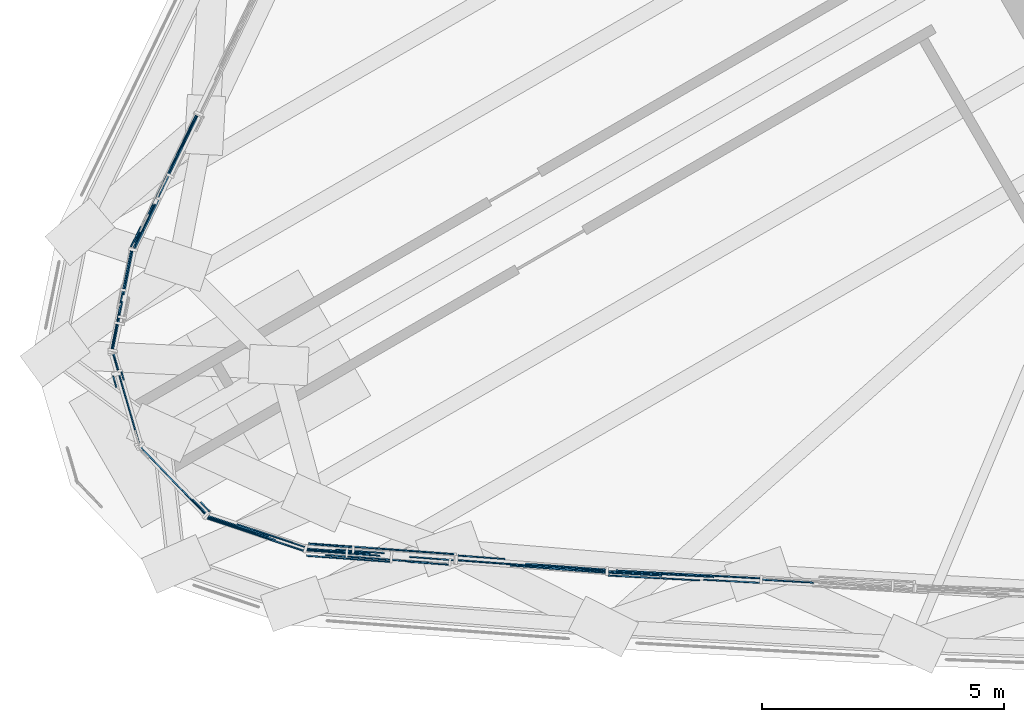
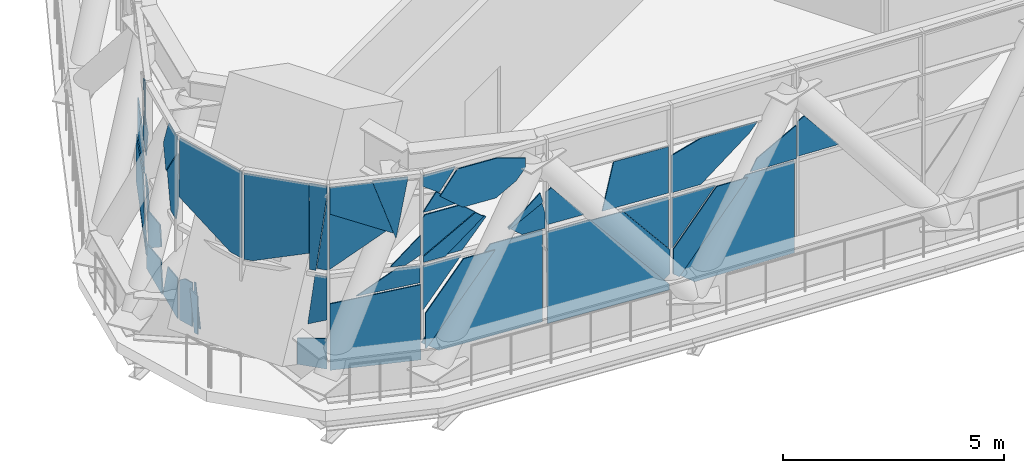
# One storey, part 12 of 43: 48 plates, 3 elements without a shape of their own.
"""IFC4 building model written with IfcOpenShell, lengths in metres."""

import ifcopenshell
import ifcopenshell.guid

model = None  # the IFC model being written
_history = None  # IfcOwnerHistory: only IFC2X3 demands one
_inside = {}  # id of a spatial element -> (the spatial element, [elements in it])
_under = {}  # id of a project, library or spatial element -> (it, [spatial elements below it])
_declared = {}  # id of a project -> (the project, [libraries it declares])
_typed = {}  # id of a type object -> (the type object, [elements of that type])
_made_of = {}  # id of a material, layer set ... -> (it, [elements and type objects made of it])


def new_model(schema):
    """Start an empty IFC model of exactly this schema.

    Asked for "IFC4X3", IfcOpenShell would pick the latest addendum, in which some entities
    have other attributes; the version numbers below select the first issue.
    IFC2X3 requires an IfcOwnerHistory on every rooted entity: one is made here for all.
    """
    global model, _history
    if schema == "IFC4X3":
        model = ifcopenshell.file(schema_version=(4, 3, 0, 0))
    else:
        model = ifcopenshell.file(schema=schema)
    _inside.clear()
    _under.clear()
    _declared.clear()
    _typed.clear()
    _made_of.clear()
    _history = None
    if model.schema == "IFC2X3":
        org = make("IfcOrganization", Name="unknown")
        user = make(
            "IfcPersonAndOrganization",
            ThePerson=make("IfcPerson", FamilyName="unknown"),
            TheOrganization=org,
        )
        app = make(
            "IfcApplication",
            ApplicationDeveloper=org,
            Version="unknown",
            ApplicationFullName="unknown",
            ApplicationIdentifier="unknown",
        )
        _history = make(
            "IfcOwnerHistory",
            OwningUser=user,
            OwningApplication=app,
            ChangeAction="ADDED",
            CreationDate=0,
        )
    return model


def make(cls, **values):
    """One entity of the class cls with the attributes given. An attribute that is None is left unset."""
    return model.create_entity(
        cls, **{name: value for name, value in values.items() if value is not None}
    )


def rooted(cls, **values):
    """An entity with a GlobalId (a new one), such as an element, a storey or a relation."""
    return make(cls, GlobalId=ifcopenshell.guid.new(), OwnerHistory=_history, **values)


def si_unit(unit_type, name, prefix=None):
    """IfcSIUnit, for example si_unit("LENGTHUNIT", "METRE", prefix="MILLI")."""
    return make("IfcSIUnit", UnitType=unit_type, Prefix=prefix, Name=name)


def assignment(units):
    """IfcUnitAssignment: the units of a project."""
    return None if units is None else make("IfcUnitAssignment", Units=units)


def point(xyz):
    """IfcCartesianPoint."""
    return None if xyz is None else make("IfcCartesianPoint", Coordinates=xyz)


def direction(xyz):
    """IfcDirection."""
    return None if xyz is None else make("IfcDirection", DirectionRatios=xyz)


def frame(location, z_axis=None, x_axis=None):
    """IfcAxis2Placement3D, a coordinate frame: its origin and axes. An axis left out is left unset."""
    return make(
        "IfcAxis2Placement3D",
        Location=point(location),
        Axis=direction(z_axis),
        RefDirection=direction(x_axis),
    )


def origin():
    """The frame at (0, 0, 0) with its axes left unset."""
    return frame((0.0, 0.0, 0.0))


def place(relative_to, where):
    """IfcLocalPlacement: puts the frame where relative to a parent placement (None: the world)."""
    return make(
        "IfcLocalPlacement", PlacementRelTo=relative_to, RelativePlacement=where
    )


def context(
    kind, dimensions, precision=None, world=None, true_north=None, identifier=None
):
    """IfcGeometricRepresentationContext, for example the 3D "Model" context."""
    return make(
        "IfcGeometricRepresentationContext",
        ContextIdentifier=identifier,
        ContextType=kind,
        CoordinateSpaceDimension=dimensions,
        Precision=precision,
        WorldCoordinateSystem=world,
        TrueNorth=true_north,
    )


def subcontext(parent, identifier, kind, view, scale=None):
    """IfcGeometricRepresentationSubContext, for example "Body" below "Model"."""
    return make(
        "IfcGeometricRepresentationSubContext",
        ContextIdentifier=identifier,
        ContextType=kind,
        ParentContext=parent,
        TargetScale=scale,
        TargetView=view,
    )


def project(units=None, contexts=None):
    """IfcProject with its units and contexts."""
    return rooted(
        "IfcProject",
        Name="project",
        RepresentationContexts=contexts,
        UnitsInContext=assignment(units),
    )


def spatial(cls, under=None, at=None, **own):
    """A site, building, storey or space (cls), placed at a placement, below another one or the project."""
    s = rooted(cls, ObjectPlacement=at, **own)
    if under is not None:
        _under.setdefault(under.id(), (under, []))[1].append(s)
    return s


def polyline(points):
    """IfcPolyline through the points."""
    return make("IfcPolyline", Points=[point(p) for p in points])


def outline(outer, holes=None, kind="AREA"):
    """IfcArbitraryClosedProfileDef: a profile drawn as a closed curve; with holes, ...WithVoids."""
    if holes is None:
        return make("IfcArbitraryClosedProfileDef", ProfileType=kind, OuterCurve=outer)
    return make(
        "IfcArbitraryProfileDefWithVoids",
        ProfileType=kind,
        OuterCurve=outer,
        InnerCurves=holes,
    )


def extrude(swept, where, along, depth):
    """IfcExtrudedAreaSolid: the profile swept, set in the frame where, extruded along a direction by depth."""
    return make(
        "IfcExtrudedAreaSolid",
        SweptArea=swept,
        Position=where,
        ExtrudedDirection=direction(along),
        Depth=depth,
    )


def shape(context_of_items, identifier, shape_type, items):
    """IfcShapeRepresentation: the items that make up one representation, for example the "Body"."""
    return make(
        "IfcShapeRepresentation",
        ContextOfItems=context_of_items,
        RepresentationIdentifier=identifier,
        RepresentationType=shape_type,
        Items=items,
    )


def material(Name=None, Category=None):
    """IfcMaterial."""
    return make("IfcMaterial", Name=Name, Category=Category)


def layer(
    of_material, thickness, ventilated=None, Name=None, Category=None, Priority=None
):
    """IfcMaterialLayer: one layer of a wall or slab, of a material (None: an air gap)."""
    return make(
        "IfcMaterialLayer",
        Material=of_material,
        LayerThickness=thickness,
        IsVentilated=ventilated,
        Name=Name,
        Category=Category,
        Priority=Priority,
    )


def layer_set(layers, Name=None):
    """IfcMaterialLayerSet."""
    return make("IfcMaterialLayerSet", MaterialLayers=layers, LayerSetName=Name)


def made_of(thing, what):
    """Note that an element or type object is made of a material, layer set ...; save() writes the relation."""
    if what is not None:
        _made_of.setdefault(what.id(), (what, []))[1].append(thing)
    return thing


def type_object(cls, material=None, **own):
    """A type object (cls), such as IfcWallType, which elements share."""
    return made_of(rooted(cls, **own), material)


def element(
    cls,
    number,
    at=None,
    inside=None,
    cuts=None,
    type_object=None,
    material=None,
    context=None,
    identifier="Body",
    shape_type=None,
    held_by="IfcProductDefinitionShape",
    body=None,
    shapes=None,
    **own,
):
    """One element of the class cls, such as IfcWall. Its Tag is "e" and its number.

    at: its placement. inside: the storey or other place that contains it. cuts: it is an
    opening in that element (IfcRelVoidsElement). A single representation is given by context,
    identifier, shape_type and body (its items); several are given by shapes. held_by: the class
    of the entity that holds the representations. save() writes the other relations.
    """
    e = rooted(cls, Tag="e%d" % number, ObjectPlacement=at, **own)
    if body is not None:
        shapes = [shape(context, identifier, shape_type, body)]
    if shapes is not None:
        e.Representation = make(held_by, Representations=shapes)
    if inside is not None:
        _inside.setdefault(inside.id(), (inside, []))[1].append(e)
    if cuts is not None:
        rooted(
            "IfcRelVoidsElement", RelatingBuildingElement=cuts, RelatedOpeningElement=e
        )
    if type_object is not None:
        _typed.setdefault(type_object.id(), (type_object, []))[1].append(e)
    return made_of(e, material)


def aggregate(whole, parts):
    """IfcRelAggregates: a whole, such as a stair, and the parts it consists of."""
    return rooted("IfcRelAggregates", RelatingObject=whole, RelatedObjects=parts)


def save(model, path):
    """Write the relations noted so far, then the file.

    IfcRelAggregates (storeys below a building ...), IfcRelContainedInSpatialStructure (elements
    in a storey), IfcRelDefinesByType, IfcRelAssociatesMaterial and IfcRelDeclares: one each for
    every whole, place, type object, material and project.
    """
    for whole, parts in _under.values():
        aggregate(whole, parts)
    for where, things in _inside.values():
        rooted(
            "IfcRelContainedInSpatialStructure",
            RelatedElements=things,
            RelatingStructure=where,
        )
    for kind, things in _typed.values():
        rooted("IfcRelDefinesByType", RelatedObjects=things, RelatingType=kind)
    for what, things in _made_of.values():
        rooted("IfcRelAssociatesMaterial", RelatedObjects=things, RelatingMaterial=what)
    for by, libraries in _declared.values():
        rooted("IfcRelDeclares", RelatingContext=by, RelatedDefinitions=libraries)
    model.write(path)


model = new_model("IFC4")

# Units and contexts
model_context = context("Model", 3, precision=1e-05, world=origin(), true_north=direction((0.0, 1.0)))
body_context = subcontext(model_context, "Body", "Model", "MODEL_VIEW")
ifc_project = project(units=[si_unit("LENGTHUNIT", "METRE"), si_unit("AREAUNIT", "SQUARE_METRE"), si_unit("VOLUMEUNIT", "CUBIC_METRE"), si_unit("PLANEANGLEUNIT", "RADIAN"), si_unit("MASSUNIT", "GRAM", prefix="KILO")], contexts=[model_context])

# Site, building, storey
site_placement = place(None, origin())
site = spatial("IfcSite", under=ifc_project, at=site_placement, CompositionType="ELEMENT")
building_placement = place(site_placement, origin())
building = spatial("IfcBuilding", under=site, at=building_placement, Name="Mestral Congress Tower", CompositionType="ELEMENT")
storey_placement = place(building_placement, frame((0.0, 0.0, 78.300048828125)))
storey = spatial("IfcBuildingStorey", under=building, at=storey_placement, Name="L18", CompositionType="ELEMENT", Elevation=78.300048828125)

# Curtain wall, plates
ifc_material_1 = material(Name="Clear low-emissivity double glazing", Category="glass")
curtain_wall_type = type_object("IfcCurtainWallType", Name="Facade refuge band screen", PredefinedType="USERDEFINED", material=ifc_material_1)
placement = place(storey_placement, origin())
curtain_wall_1 = element("IfcCurtainWall", 1, at=placement, inside=storey, type_object=curtain_wall_type, Name="Facade refuge band screen face 1", ObjectType="CURTAIN WALL", PredefinedType="USERDEFINED")
ifc_material_2 = material(Name="Anodised aluminium", Category="aluminium")
ifc_layer_1 = layer(ifc_material_2, 0.028076171875)
ifc_layer_set_1 = layer_set([ifc_layer_1], Name="Anodised aluminium")
plate_type_1 = type_object("IfcPlateType", Name="Facade refuge band screen brace cover panel", PredefinedType="CURTAIN_PANEL", material=ifc_layer_set_1)
plate_1_placement = place(storey_placement, frame((-26.775146484375, -20.877685546875, 2.5400390625), z_axis=(-0.073808782019, -0.997270588146, 0.001907279772), x_axis=(-0.617192084077, 0.044176467395, -0.785571366001)))
plate_1 = element("IfcPlate", 2, at=plate_1_placement, type_object=plate_type_1, Name="Facade refuge band screen brace cover panel", PredefinedType="CURTAIN_PANEL", context=body_context, shape_type="SweptSolid", body=[
    extrude(outline(polyline([(0.0, 0.0), (2.7954746552382685, -2.220446049250313e-16), (2.795634461712458, -0.02387657490237105), (2.0379892340474095, -0.6204988554601101), (0.48867671849154626, -0.620410997968568), (0.0, 0.0)])), origin(), (0.0, 0.0, -1.0), 0.028076171875),
])
plate_2_placement = place(storey_placement, frame((-22.343505859375, -21.101806640625, 0.462646484375), z_axis=(-0.073804585382, -0.997270495715, 0.002107499345), x_axis=(-0.765985299169, 0.055334468375, -0.640472183679)))
plate_2 = element("IfcPlate", 3, at=plate_2_placement, type_object=plate_type_1, Name="Facade refuge band screen brace cover panel", PredefinedType="CURTAIN_PANEL", context=body_context, shape_type="SweptSolid", body=[
    extrude(outline(polyline([(0.0, 0.0), (0.19059440500066432, 2.7755575615628914e-17), (0.18788676218647238, -2.8617058811503955), (-0.43083977477163937, -2.3457059368582014), (-0.42899877921713003, -0.5145452539126096), (0.0, 0.0)])), origin(), (0.0, 0.0, -1.0), 0.028076171875),
])
plate_3_placement = place(storey_placement, frame((-22.338623046875, -21.037109375, 3.93798828125), z_axis=(-0.073827253308, -0.997269118789, 0.00195994362), x_axis=(-0.00019403656, -0.001950942459, -0.999998078085)))
plate_3 = element("IfcPlate", 4, at=plate_3_placement, type_object=plate_type_1, Name="Facade refuge band screen brace cover panel", PredefinedType="CURTAIN_PANEL", context=body_context, shape_type="SweptSolid", body=[
    extrude(outline(polyline([(0.0, 0.0), (1.278078525936325, 1.3552527156068805e-20), (1.2781611206658061, -1.6673881867566556), (6.808662801067748e-05, -1.3782768407313644), (0.0, 0.0)])), origin(), (0.0, 0.0, -1.0), 0.028076171875),
])
plate_4_placement = place(storey_placement, frame((-25.338623046875, -20.751220703125, 2.659912109375), z_axis=(-0.073699546463, -0.997278518399, 0.001983328322), x_axis=(-0.247928199845, 0.020248287159, 0.968566783753)))
plate_4 = element("IfcPlate", 5, at=plate_4_placement, type_object=plate_type_1, Name="Facade refuge band screen brace cover panel", PredefinedType="CURTAIN_PANEL", context=body_context, shape_type="SweptSolid", body=[
    extrude(outline(polyline([(0.0, 0.0), (0.1988780911484351, 6.938893903907228e-18), (0.8839512020503663, -0.17582790817940053), (0.9327691884667833, -0.3420203629767758), (-0.22939326194635135, -0.8932107976979877), (0.0, 0.0)])), origin(), (0.0, 0.0, -1.0), 0.028076171875),
])
plate_5_placement = place(storey_placement, frame((-20.39404296875, -21.260498046875, 2.5400390625), z_axis=(-0.05540046725, -0.998462318053, 0.001946190369), x_axis=(-0.620837327178, 0.032920950504, -0.783247868941)))
plate_5 = element("IfcPlate", 6, at=plate_5_placement, type_object=plate_type_1, Name="Facade refuge band screen brace cover panel", PredefinedType="CURTAIN_PANEL", context=body_context, shape_type="SweptSolid", body=[
    extrude(outline(polyline([(0.0, 0.0), (2.7975335858467942, -2.220446049250313e-16), (2.797694701820924, -0.1981207592080818), (2.267139794578253, -0.6190434864241899), (0.49146970920577293, -0.6191706400163846), (0.0, 0.0)])), origin(), (0.0, 0.0, -1.0), 0.028076171875),
])
plate_6_placement = place(storey_placement, frame((-20.156494140625, -21.2548828125, 2.979736328125), z_axis=(-0.055438630737, -0.998460489196, 0.001791573556), x_axis=(0.856854537081, -0.046654797082, 0.513442920092)))
plate_6 = element("IfcPlate", 7, at=plate_6_placement, type_object=plate_type_1, Name="Facade refuge band screen brace cover panel", PredefinedType="CURTAIN_PANEL", context=body_context, shape_type="SweptSolid", body=[
    extrude(outline(polyline([(0.0, 0.0), (1.1630661542633531, 1.1102230246251565e-16), (0.6923227401312108, -0.7869423273552529), (-0.30435106786827554, -0.19059903739276984), (0.0, 0.0)])), origin(), (0.0, 0.0, -1.0), 0.028076171875),
])
plate_7_placement = place(storey_placement, frame((-22.28076171875, -21.0693359375, 3.687744140625), z_axis=(-0.055464232697, -0.998458749618, 0.001960663677), x_axis=(0.949600741953, -0.05214321157, 0.30909467218)))
plate_7 = element("IfcPlate", 8, at=plate_7_placement, type_object=plate_type_1, Name="Facade refuge band screen brace cover panel", PredefinedType="CURTAIN_PANEL", context=body_context, shape_type="SweptSolid", body=[
    extrude(outline(polyline([(0.0, 0.0), (0.8096034060046728, -2.7755575615628914e-17), (2.1513714989659403, -0.43608870903567415), (1.875396894875574, -0.6113209524834626), (0.38864214645512113, -1.207070401098991), (-0.3175955625452725, -0.9775354487546428), (0.0, 0.0)])), origin(), (0.0, 0.0, -1.0), 0.028076171875),
])
plate_8_placement = place(storey_placement, frame((-19.096435546875, -21.248291015625, 2.659912109375), z_axis=(-0.055442148308, -0.998459970376, 0.001963605809), x_axis=(0.000250826545, 0.001952702862, 0.999998062017)))
plate_8 = element("IfcPlate", 9, at=plate_8_placement, type_object=plate_type_1, Name="Facade refuge band screen brace cover panel", PredefinedType="CURTAIN_PANEL", context=body_context, shape_type="SweptSolid", body=[
    extrude(outline(polyline([(0.0, 0.0), (0.9528828878177351, -8.131516293641283e-20), (1.0595977065525688, -0.17823102355353196), (0.0001500530394255547, -1.0541064174378982), (0.0, 0.0)])), origin(), (0.0, 0.0, -1.0), 0.028076171875),
])

curtain_wall_2 = element("IfcCurtainWall", 10, at=placement, inside=storey, type_object=curtain_wall_type, Name="Facade refuge band screen face 3", ObjectType="CURTAIN WALL", PredefinedType="USERDEFINED")
plate_9_placement = place(storey_placement, frame((-32.07275390625, -14.378173828125, 0.343994140625), z_axis=(-0.900608509907, 0.434626728153, 0.001979661324), x_axis=(0.270352963797, 0.556631851238, 0.785538195859)))
plate_9 = element("IfcPlate", 11, at=plate_9_placement, type_object=plate_type_1, Name="Facade refuge band screen brace cover panel", PredefinedType="CURTAIN_PANEL", context=body_context, shape_type="SweptSolid", body=[
    extrude(outline(polyline([(0.0, 0.0), (1.8259152808040553, 0.0), (1.451144721974436, -0.6205397314525564), (0.757544310314076, -0.6204228794613514), (-4.808442119160275e-05, -0.023733104159398492), (0.0, 0.0)])), origin(), (0.0, 0.0, -1.0), 0.028076171875),
])
plate_10_placement = place(storey_placement, frame((-31.480224609375, -13.09228515625, 2.659912109375), z_axis=(-0.900536228982, 0.434775901299, 0.002101413907), x_axis=(-0.10809032852, -0.228560039319, 0.967510614571)))
plate_10 = element("IfcPlate", 12, at=plate_10_placement, type_object=plate_type_1, Name="Facade refuge band screen brace cover panel", PredefinedType="CURTAIN_PANEL", context=body_context, shape_type="SweptSolid", body=[
    extrude(outline(polyline([(0.0, 0.0), (0.8332231960949918, 0.0), (1.2308155987094953, -0.9971710782776708), (0.21165919952148823, -0.8099882527650824), (0.0, 0.0)])), origin(), (0.0, 0.0, -1.0), 0.028076171875),
])
plate_11_placement = place(storey_placement, frame((-32.068115234375, -14.169189453125, 5.030029296875), z_axis=(-0.900505627602, 0.434840050187, 0.001935306402), x_axis=(-0.434840859887, -0.90050731622, 2.655657e-06)))
plate_11 = element("IfcPlate", 13, at=plate_11_placement, type_object=plate_type_1, Name="Facade refuge band screen brace cover panel", PredefinedType="CURTAIN_PANEL", context=body_context, shape_type="SweptSolid", body=[
    extrude(outline(polyline([(0.0, 0.0), (0.20889089351163798, 2.710505431213761e-20), (0.2087442022040439, -1.0920438267506212), (0.1777361645568887, -1.092043339694602), (-0.26261326045802263, -0.15112245572776956), (0.0, 0.0)])), origin(), (0.0, 0.0, -1.0), 0.028076171875),
])

curtain_wall_3 = element("IfcCurtainWall", 14, at=placement, inside=storey, type_object=curtain_wall_type, Name="Facade refuge band screen corner 3", ObjectType="CURTAIN WALL", PredefinedType="USERDEFINED")
plate_12_placement = place(storey_placement, frame((-32.33984375, -15.486083984375, 0.0), z_axis=(-0.980172037569, 0.198139224493, 0.001903808113), x_axis=(-0.060347911407, -0.307658193104, 0.949581258137)))
plate_12 = element("IfcPlate", 15, at=plate_12_placement, type_object=plate_type_1, Name="Facade refuge band screen brace cover panel", PredefinedType="CURTAIN_PANEL", context=body_context, shape_type="SweptSolid", body=[
    extrude(outline(polyline([(0.0, 0.0), (1.0219865545621487, 0.0), (1.3775930335449644, -0.6254113041916596), (0.3216439354697959, -0.97420065703897), (0.0, 0.0)])), origin(), (0.0, 0.0, -1.0), 0.028076171875),
])
plate_13_placement = place(storey_placement, frame((-32.377197265625, -15.520263671875, 0.123779296875), z_axis=(-0.980176765301, 0.198114909108, 0.001997886995), x_axis=(0.060217621838, 0.30750429749, -0.949639376314)))
plate_13 = element("IfcPlate", 16, at=plate_13_placement, type_object=plate_type_1, Name="Facade refuge band screen brace cover panel", PredefinedType="CURTAIN_PANEL", context=body_context, shape_type="SweptSolid", body=[
    extrude(outline(polyline([(0.0, 0.0), (0.13034302980957746, 0.0), (0.46389800420367605, -1.0109081578878938), (-0.19360284291350915, -1.22790767466725), (-0.6852232126214426, -0.36283307373609086), (0.0, 0.0)])), origin(), (0.0, 0.0, -1.0), 0.028076171875),
])
plate_14_placement = place(storey_placement, frame((-32.127685546875, -14.44287109375, 0.6923828125), z_axis=(-0.980192406683, 0.19803693431, 0.002053905934), x_axis=(0.002045860863, -0.000245228452, 0.999997877156)))
plate_14 = element("IfcPlate", 17, at=plate_14_placement, type_object=plate_type_1, Name="Facade refuge band screen brace cover panel", PredefinedType="CURTAIN_PANEL", context=body_context, shape_type="SweptSolid", body=[
    extrude(outline(polyline([(0.0, 0.0), (0.8950216869553073, 5.421010862427522e-20), (1.0611450784439334, -0.8283989397268066), (0.5115681314454628, -0.9216764748647425), (0.05366717704041013, -0.2672268010048904), (0.0, 0.0)])), origin(), (0.0, 0.0, -1.0), 0.028076171875),
])
plate_15_placement = place(storey_placement, frame((-32.5341796875, -16.493408203125, 4.563232421875), z_axis=(-0.980178490818, 0.198106375762, 0.001997503712), x_axis=(-0.00197175133, 0.000327255894, -0.999998002548)))
plate_15 = element("IfcPlate", 18, at=plate_15_placement, type_object=plate_type_1, Name="Facade refuge band screen brace cover panel", PredefinedType="CURTAIN_PANEL", context=body_context, shape_type="SweptSolid", body=[
    extrude(outline(polyline([(0.0, 0.0), (1.457278416195704, -1.0842021724855044e-19), (1.9033139851035135, -0.1475476074691712), (1.9032893666078428, -0.4970240443719126), (0.9633283119167073, -0.7543649543646159), (0.0, 0.0)])), origin(), (0.0, 0.0, -1.0), 0.028076171875),
])
plate_16_placement = place(storey_placement, frame((-32.416015625, -15.747802734375, 3.599853515625), z_axis=(-0.980163058804, 0.198181442699, 0.002119888353), x_axis=(0.054406244167, 0.258765681953, 0.964406699707)))
plate_16 = element("IfcPlate", 19, at=plate_16_placement, type_object=plate_type_1, Name="Facade refuge band screen brace cover panel", PredefinedType="CURTAIN_PANEL", context=body_context, shape_type="SweptSolid", body=[
    extrude(outline(polyline([(0.0, 0.0), (0.6812297364243162, -2.7755575615628914e-17), (1.3310308646094255, -0.5541317255582839), (1.1798173628866078, -1.1056568060819614), (0.7296453733519395, -0.9821840747986168), (0.0, 0.0)])), origin(), (0.0, 0.0, -1.0), 0.028076171875),
])
plate_17_placement = place(storey_placement, frame((-32.476806640625, -16.70361328125, 1.2119140625), z_axis=(-0.960324684359, -0.278876790191, 0.002058276691), x_axis=(0.278877379114, -0.9603267191, -9.15947e-07)))
plate_17 = element("IfcPlate", 20, at=plate_17_placement, type_object=plate_type_1, Name="Facade refuge band screen brace cover panel", PredefinedType="CURTAIN_PANEL", context=body_context, shape_type="SweptSolid", body=[
    extrude(outline(polyline([(0.0, 0.0), (0.24199247881318636, 0.0), (0.23443777483928016, -1.2119164048524702), (-0.15658778239704693, -1.2119169402124588), (-0.15667938575159676, -0.11279341119308603), (0.0, 0.0)])), origin(), (0.0, 0.0, -1.0), 0.028076171875),
])
plate_18_placement = place(storey_placement, frame((-32.364013671875, -16.914794921875, 0.0), z_axis=(-0.960140599147, -0.279509776054, 0.002077247965), x_axis=(0.003791436574, -0.005592332599, 0.999977175152)))
plate_18 = element("IfcPlate", 21, at=plate_18_placement, type_object=plate_type_1, Name="Facade refuge band screen brace cover panel", PredefinedType="CURTAIN_PANEL", context=body_context, shape_type="SweptSolid", body=[
    extrude(outline(polyline([(0.0, 0.0), (1.2119412911682663, -8.673617379884035e-19), (1.212234741772171, -0.045575126594504516), (0.0013070017978870387, -0.2033553077986425), (0.0, 0.0)])), origin(), (0.0, 0.0, -1.0), 0.028076171875),
])
plate_19_placement = place(storey_placement, frame((-32.527587890625, -17.02490234375, 1.157958984375), z_axis=(-0.960282799901, -0.279021998127, 0.001915405059), x_axis=(0.255172512799, -0.880938219702, -0.398540890975)))
plate_19 = element("IfcPlate", 22, at=plate_19_placement, type_object=plate_type_1, Name="Facade refuge band screen brace cover panel", PredefinedType="CURTAIN_PANEL", context=body_context, shape_type="SweptSolid", body=[
    extrude(outline(polyline([(0.0, 0.0), (0.27076307021056095, 1.3877787807814457e-17), (0.6891822275402159, -0.9630846293767731), (0.59288140081342, -1.0049315206701481), (0.0, 0.0)])), origin(), (0.0, 0.0, -1.0), 0.028076171875),
])
plate_20_placement = place(storey_placement, frame((-31.99072265625, -18.432373046875, 2.659912109375), z_axis=(-0.960336080625, -0.278837795555, 0.002023862495), x_axis=(-0.278838367098, 0.96033804727, -2.46699e-07)))
plate_20 = element("IfcPlate", 23, at=plate_20_placement, type_object=plate_type_1, Name="Facade refuge band screen brace cover panel", PredefinedType="CURTAIN_PANEL", context=body_context, shape_type="SweptSolid", body=[
    extrude(outline(polyline([(0.0, 0.0), (0.3500783295726995, 0.0), (1.9525030905930247, -0.7407247063811347), (1.9523210761648917, -2.3701224825225227), (-0.00012173674061453043, -2.370122038008374), (0.0, 0.0)])), origin(), (0.0, 0.0, -1.0), 0.028076171875),
])
plate_21_placement = place(storey_placement, frame((-30.610595703125, -19.901123046875, 0.0), z_axis=(-0.721740259125, -0.69216111956, 0.001995727045), x_axis=(-0.692162498494, 0.721741695954, -3.58052e-07)))
plate_21 = element("IfcPlate", 24, at=plate_21_placement, type_object=plate_type_1, Name="Facade refuge band screen brace cover panel", PredefinedType="CURTAIN_PANEL", context=body_context, shape_type="SweptSolid", body=[
    extrude(outline(polyline([(0.0, 0.0), (0.6993159961060347, -1.0842021724855044e-19), (0.6991756402306835, -0.7172868350430577), (-0.00014040089409686978, -0.8430190065263066), (0.0, 0.0)])), origin(), (0.0, 0.0, -1.0), 0.028076171875),
])
plate_22_placement = place(storey_placement, frame((-30.60693359375, -19.897705078125, 2.5400390625), z_axis=(-0.721866639682, -0.692029271208, 0.002010548363), x_axis=(-0.001421591898, -0.001422403028, -0.999997977921)))
plate_22 = element("IfcPlate", 25, at=plate_22_placement, type_object=plate_type_1, Name="Facade refuge band screen brace cover panel", PredefinedType="CURTAIN_PANEL", context=body_context, shape_type="SweptSolid", body=[
    extrude(outline(polyline([(0.0, 0.0), (1.1857934782047874, -7.453889935837843e-20), (1.3820634853954474, -0.45084719393753636), (-1.1964093972806312e-05, -0.2797278412612144), (0.0, 0.0)])), origin(), (0.0, 0.0, -1.0), 0.028076171875),
])
plate_23_placement = place(storey_placement, frame((-30.535888671875, -19.82958984375, 2.659912109375), z_axis=(-0.72123869782, -0.692683909018, 0.001934671754), x_axis=(-0.692685205363, 0.721240047606, 0.0)))
plate_23 = element("IfcPlate", 26, at=plate_23_placement, type_object=plate_type_1, Name="Facade refuge band screen brace cover panel", PredefinedType="CURTAIN_PANEL", context=body_context, shape_type="SweptSolid", body=[
    extrude(outline(polyline([(0.0, 0.0), (0.2650464432882697, 0.0), (8.365676438196777e-05, -2.1411172883063605), (0.0, 0.0)])), origin(), (0.0, 0.0, -1.0), 0.028076171875),
])
plate_24_placement = place(storey_placement, frame((-30.77880859375, -19.6953125, 2.659912109375), z_axis=(-0.721701788109, -0.692201215313, 0.002001639107), x_axis=(-0.692202599309, 0.721703236453, 1.854934e-06)))
plate_24 = element("IfcPlate", 27, at=plate_24_placement, type_object=plate_type_1, Name="Facade refuge band screen brace cover panel", PredefinedType="CURTAIN_PANEL", context=body_context, shape_type="SweptSolid", body=[
    extrude(outline(polyline([(0.0, 0.0), (0.14262905661716568, 0.0), (0.15740854024903633, -2.370121818147507), (-0.2651173524027482, -2.370122621172579), (-0.2651249794938327, -2.1411184827461205), (0.0, 0.0)])), origin(), (0.0, 0.0, -1.0), 0.028076171875),
])
plate_25_placement = place(storey_placement, frame((-31.965087890625, -18.4951171875, 5.030029296875), z_axis=(-0.721627972073, -0.6922782894, 0.001959578424), x_axis=(0.692279618533, -0.721629357609, -1.8851e-08)))
plate_25 = element("IfcPlate", 28, at=plate_25_placement, type_object=plate_type_1, Name="Facade refuge band screen brace cover panel", PredefinedType="CURTAIN_PANEL", context=body_context, shape_type="SweptSolid", body=[
    extrude(outline(polyline([(0.0, 0.0), (1.5298625342543974, -2.168404344971009e-19), (1.541854118408691, -1.9040563729577824), (0.21679829922395918, -2.370121747385994), (-7.581787209593547e-05, -2.3701217757869713), (0.0, 0.0)])), origin(), (0.0, 0.0, -1.0), 0.028076171875),
])
plate_26_placement = place(storey_placement, frame((-28.58740234375, -20.648681640625, 0.0), z_axis=(-0.318543289648, -0.947906172527, 0.002015119085), x_axis=(-0.947908097171, 0.318543936244, -8.4072e-08)))
plate_26 = element("IfcPlate", 29, at=plate_26_placement, type_object=plate_type_1, Name="Facade refuge band screen brace cover panel", PredefinedType="CURTAIN_PANEL", context=body_context, shape_type="SweptSolid", body=[
    extrude(outline(polyline([(0.0, 0.0), (2.0903055250919134, 0.0), (2.0905462221602815, -1.8337441332815922), (8.702353236709874e-05, -2.0737345034379033), (0.0, 0.0)])), origin(), (0.0, 0.0, -1.0), 0.028076171875),
])
plate_27_placement = place(storey_placement, frame((-28.560791015625, -20.570068359375, 2.5400390625), z_axis=(-0.318601602867, -0.947886748785, 0.001931354216), x_axis=(-0.001081818232, -0.001673914483, -0.999998013838)))
plate_27 = element("IfcPlate", 30, at=plate_27_placement, type_object=plate_type_1, Name="Facade refuge band screen brace cover panel", PredefinedType="CURTAIN_PANEL", context=body_context, shape_type="SweptSolid", body=[
    extrude(outline(polyline([(0.0, 0.0), (0.4663094218286571, 5.421010862427522e-20), (0.6367144237538802, -1.4769105738915607), (0.000263052329413689, -0.5347169504689534), (0.0, 0.0)])), origin(), (0.0, 0.0, -1.0), 0.028076171875),
])
plate_28_placement = place(storey_placement, frame((-28.5869140625, -20.64697265625, 2.900390625), z_axis=(-0.318465989213, -0.947932043057, 0.002062876529), x_axis=(-0.786242438946, 0.262928066726, -0.559188393056)))
plate_28 = element("IfcPlate", 31, at=plate_28_placement, type_object=plate_type_1, Name="Facade refuge band screen brace cover panel", PredefinedType="CURTAIN_PANEL", context=body_context, shape_type="SweptSolid", body=[
    extrude(outline(polyline([(0.0, 0.0), (0.4300493261704099, 0.0), (0.7153214454065866, -0.1924169032626047), (-0.3032028821277374, -0.44924907825799143), (0.0, 0.0)])), origin(), (0.0, 0.0, -1.0), 0.028076171875),
])
plate_29_placement = place(storey_placement, frame((-28.816162109375, -20.47900390625, 5.030029296875), z_axis=(-0.318511802501, -0.947916909928, 0.001939984328), x_axis=(-0.159583793077, 0.051604541783, -0.985834663752)))
plate_29 = element("IfcPlate", 32, at=plate_29_placement, type_object=plate_type_1, Name="Facade refuge band screen brace cover panel", PredefinedType="CURTAIN_PANEL", context=body_context, shape_type="SweptSolid", body=[
    extrude(outline(polyline([(0.0, 0.0), (1.6889638026758953, 5.551115123125783e-17), (0.13973332703140393, -0.8213876164508969), (0.0, 0.0)])), origin(), (0.0, 0.0, -1.0), 0.028076171875),
])
plate_30_placement = place(storey_placement, frame((-30.56005859375, -19.956298828125, 5.030029296875), z_axis=(-0.318609486861, -0.947884147323, 0.001907389798), x_axis=(0.947885871693, -0.318610066138, 1.64016e-07)))
plate_30 = element("IfcPlate", 33, at=plate_30_placement, type_object=plate_type_1, Name="Facade refuge band screen brace cover panel", PredefinedType="CURTAIN_PANEL", context=body_context, shape_type="SweptSolid", body=[
    extrude(outline(polyline([(0.0, 0.0), (0.9864389755137769, 1.0842021724855044e-19), (1.4698220117783527, -1.4641142325245713), (-7.402676363094488e-05, -0.7326671865939696), (0.0, 0.0)])), origin(), (0.0, 0.0, -1.0), 0.028076171875),
])
plate_31_placement = place(storey_placement, frame((-30.55078125, -19.92919921875, 4.29736328125), z_axis=(-0.318424270137, -0.94794609243, 0.002046957294), x_axis=(0.848396246377, -0.285946479447, -0.445486722614)))
plate_31 = element("IfcPlate", 34, at=plate_31_placement, type_object=plate_type_1, Name="Facade refuge band screen brace cover panel", PredefinedType="CURTAIN_PANEL", context=body_context, shape_type="SweptSolid", body=[
    extrude(outline(polyline([(0.0, 0.0), (1.4736559077956408, -1.1102230246251565e-16), (0.6888056065143355, -1.3847829883380418), (0.0, 0.0)])), origin(), (0.0, 0.0, -1.0), 0.028076171875),
])
aggregate(curtain_wall_3, [plate_12, plate_13, plate_14, plate_15, plate_16, plate_17, plate_18, plate_19, plate_20, plate_21, plate_22, plate_23, plate_24, plate_25, plate_26, plate_27, plate_28, plate_29, plate_30, plate_31])

# Plate
ifc_layer_2 = layer(ifc_material_1, 0.028076171875)
ifc_layer_set_2 = layer_set([ifc_layer_2], Name="Clear low-emissivity double glazing")
plate_type_2 = type_object("IfcPlateType", Name="Facade refuge band screen panel", PredefinedType="CURTAIN_PANEL", material=ifc_layer_set_2)
plate_32_placement = place(storey_placement, frame((-25.44580078125, -20.71728515625, 2.5400390625), z_axis=(-0.073860924967, -0.997266583036, 0.001981444618), x_axis=(-0.000188858581, -0.001972884172, -0.999998036028)))
plate_32 = element("IfcPlate", 35, at=plate_32_placement, type_object=plate_type_2, Name="Refuge screen glass unit", PredefinedType="CURTAIN_PANEL", context=body_context, shape_type="SweptSolid", body=[
    extrude(outline(polyline([(0.0, 0.0), (2.5400442810359687, -8.131516293641283e-20), (2.540155208906052, -2.6067362783940577), (2.1961789763818587, -3.0435425225270407), (5.6242428337667034e-05, -1.3138825922804789), (0.0, 0.0)])), origin(), (0.0, 0.0, -1.0), 0.028076171875),
])

plate_33_placement = place(storey_placement, frame((-28.5087890625, -20.61083984375, 2.5400390625), z_axis=(-0.07383402494, -0.997268536858, 0.00200053869), x_axis=(0.997270532475, -0.073834172688, 0.0)))
plate_33 = element("IfcPlate", 36, at=plate_33_placement, type_object=plate_type_2, Name="Refuge screen glass unit", PredefinedType="CURTAIN_PANEL", context=body_context, shape_type="SweptSolid", body=[
    extrude(outline(polyline([(0.0, 0.0), (0.958916158638939, 0.0), (0.00018025921066339796, -1.217043451025733), (0.0, 0.0)])), origin(), (0.0, 0.0, -1.0), 0.028076171875),
])

plate_34_placement = place(storey_placement, frame((-26.031005859375, -20.80224609375, 2.659912109375), z_axis=(-0.073777687062, -0.997272874898, 0.001914649786), x_axis=(-0.766082887646, 0.057903354709, 0.640128276808)))
plate_34 = element("IfcPlate", 37, at=plate_34_placement, type_object=plate_type_2, Name="Refuge screen glass unit", PredefinedType="CURTAIN_PANEL", context=body_context, shape_type="SweptSolid", body=[
    extrude(outline(polyline([(0.0, 0.0), (0.4729275498623573, 2.7755575615628914e-17), (0.14730626490315563, -0.9265770318701589), (-0.17025895870678748, -0.6973439729331716), (-0.44349524808176644, -0.369525288621111), (0.0, 0.0)])), origin(), (0.0, 0.0, -1.0), 0.028076171875),
])

plate_35_placement = place(storey_placement, frame((-26.296630859375, -20.8837890625, 3.146240234375), z_axis=(-0.074003897443, -0.997255646729, 0.002144348646), x_axis=(0.741873016942, -0.053615365551, 0.668393461451)))
plate_35 = element("IfcPlate", 38, at=plate_35_placement, type_object=plate_type_2, Name="Refuge screen glass unit", PredefinedType="CURTAIN_PANEL", context=body_context, shape_type="SweptSolid", body=[
    extrude(outline(polyline([(0.0, 0.0), (0.8970904327442994, -5.551115123125783e-17), (0.763285448100122, -0.2559148714015289), (-0.20044436577437308, -0.06670847351330378), (-0.20493599035963272, -0.035428637299133425), (0.0, 0.0)])), origin(), (0.0, 0.0, -1.0), 0.028076171875),
])

plate_36_placement = place(storey_placement, frame((-25.993896484375, -20.892822265625, 4.817626953125), z_axis=(-0.073868096356, -0.997265825996, 0.002092042178), x_axis=(-2.3921434e-05, -0.002096001384, -0.999997803101)))
plate_36 = element("IfcPlate", 39, at=plate_36_placement, type_object=plate_type_2, Name="Refuge screen glass unit", PredefinedType="CURTAIN_PANEL", context=body_context, shape_type="SweptSolid", body=[
    extrude(outline(polyline([(0.0, 0.0), (0.27539104343266824, 6.776263578034403e-21), (0.5600296147599908, -0.23108468719009836), (0.8795433921429656, -0.7417537460745866), (0.8794338889967267, -1.5785092862197276), (0.40938813499701665, -2.1430539227107657), (-0.21262625897953386, -1.7055947182635043), (-0.21249638435836668, -0.7146031801030746), (0.0, 0.0)])), origin(), (0.0, 0.0, -1.0), 0.028076171875),
])

plate_37_placement = place(storey_placement, frame((-28.50830078125, -20.6064453125, 4.7353515625), z_axis=(-0.07390636737, -0.997263595333, 0.001780529454), x_axis=(9.464647e-06, 0.001784710812, 0.999998407358)))
plate_37 = element("IfcPlate", 40, at=plate_37_placement, type_object=plate_type_2, Name="Refuge screen glass unit", PredefinedType="CURTAIN_PANEL", context=body_context, shape_type="SweptSolid", body=[
    extrude(outline(polyline([(0.0, 0.0), (0.29467813649957225, -6.776263578034403e-21), (0.2945774107065116, -0.8230488797826908), (-0.2898459079114736, -0.4120210055060215), (0.0, 0.0)])), origin(), (0.0, 0.0, -1.0), 0.028076171875),
])

plate_38_placement = place(storey_placement, frame((-28.508544921875, -20.608154296875, 3.859130859375), z_axis=(-0.073844250492, -0.997267866547, 0.001956788839), x_axis=(0.572929074887, -0.040817232486, 0.818587948043)))
plate_38 = element("IfcPlate", 41, at=plate_38_placement, type_object=plate_type_2, Name="Refuge screen glass unit", PredefinedType="CURTAIN_PANEL", context=body_context, shape_type="SweptSolid", body=[
    extrude(outline(polyline([(0.0, 0.0), (0.09633295192739873, 0.0), (0.6104075004031014, -0.7326446725420233), (0.5718936891998372, -1.198444839521243), (-0.8512137804441219, -0.597171195406903), (0.0, 0.0)])), origin(), (0.0, 0.0, -1.0), 0.028076171875),
])

plate_39_placement = place(storey_placement, frame((-27.204833984375, -20.7353515625, 3.638916015625), z_axis=(-0.073989441601, -0.997256877791, 0.002069355078), x_axis=(0.766007953025, -0.058160832938, -0.640194605893)))
plate_39 = element("IfcPlate", 42, at=plate_39_placement, type_object=plate_type_2, Name="Refuge screen glass unit", PredefinedType="CURTAIN_PANEL", context=body_context, shape_type="SweptSolid", body=[
    extrude(outline(polyline([(0.0, 0.0), (0.2658033216809859, -2.7755575615628914e-17), (0.03728452400395588, -1.243325014156062), (-0.37929363844351915, -1.5904836858243674), (-0.48137011268207497, -1.4680238862371802), (0.0, 0.0)])), origin(), (0.0, 0.0, -1.0), 0.028076171875),
])

plate_40_placement = place(storey_placement, frame((-27.55322265625, -20.57861328125, 3.93798828125), z_axis=(-0.073921795135, -0.997262298945, 0.001864217301), x_axis=(-0.997264031846, 0.073921923586, 0.0)))
plate_40 = element("IfcPlate", 43, at=plate_40_placement, type_object=plate_type_2, Name="Refuge screen glass unit", PredefinedType="CURTAIN_PANEL", context=body_context, shape_type="SweptSolid", body=[
    extrude(outline(polyline([(0.0, 0.0), (0.895026890068374, -2.710505431213761e-20), (0.5628838925579746, -0.46850667347776814), (0.0, 0.0)])), origin(), (0.0, 0.0, -1.0), 0.028076171875),
])

plate_41_placement = place(storey_placement, frame((-26.984619140625, -20.69189453125, 3.458740234375), z_axis=(-0.074281653566, -0.997234921839, 0.002178671188), x_axis=(0.765870946756, -0.058446844317, -0.64033245998)))
plate_41 = element("IfcPlate", 44, at=plate_41_placement, type_object=plate_type_2, Name="Refuge screen glass unit", PredefinedType="CURTAIN_PANEL", context=body_context, shape_type="SweptSolid", body=[
    extrude(outline(polyline([(0.0, 0.0), (0.09531806774766013, 6.938893903907228e-18), (0.10732492830768908, -0.9505395776392245), (-0.21121747554704817, -1.216096827093287), (0.0, 0.0)])), origin(), (0.0, 0.0, -1.0), 0.028076171875),
])

plate_42_placement = place(storey_placement, frame((-25.39501953125, -20.841552734375, 2.5400390625), z_axis=(-0.073836889111, -0.997268296153, 0.002014769041), x_axis=(0.997270320276, -0.073837038779, 9.7417e-08)))
plate_42 = element("IfcPlate", 45, at=plate_42_placement, type_object=plate_type_2, Name="Refuge screen glass unit", PredefinedType="CURTAIN_PANEL", context=body_context, shape_type="SweptSolid", body=[
    extrude(outline(polyline([(0.0, 0.0), (1.0852338570569133, -2.710505431213761e-20), (3.062428236555485, -2.375249388908621), (3.0624462471224234, -2.5400444668537734), (0.00013483739396740737, -2.540044244874223), (0.0, 0.0)])), origin(), (0.0, 0.0, -1.0), 0.028076171875),
])

plate_43_placement = place(storey_placement, frame((-22.3388671875, -21.037841796875, 2.5400390625), z_axis=(-0.073779400047, -0.997272398938, 0.002088646693), x_axis=(-0.000173460159, -0.002081521912, -0.999997818587)))
plate_43 = element("IfcPlate", 46, at=plate_43_placement, type_object=plate_type_2, Name="Refuge screen glass unit", PredefinedType="CURTAIN_PANEL", context=body_context, shape_type="SweptSolid", body=[
    extrude(outline(polyline([(0.0, 0.0), (1.4074737734070482, -3.3881317890172014e-21), (2.274123671015501e-05, -1.1714054690712041), (0.0, 0.0)])), origin(), (0.0, 0.0, -1.0), 0.028076171875),
])

plate_44_placement = place(storey_placement, frame((-22.2822265625, -21.099609375, 2.5400390625), z_axis=(-0.055518917723, -0.998455755386, 0.001937604393), x_axis=(0.998457629648, -0.055519021941, 0.0)))
plate_44 = element("IfcPlate", 47, at=plate_44_placement, type_object=plate_type_2, Name="Refuge screen glass unit", PredefinedType="CURTAIN_PANEL", context=body_context, shape_type="SweptSolid", body=[
    extrude(outline(polyline([(0.0, 0.0), (1.1037531774265612, 0.0), (-9.466513386160728e-05, -1.3908717515098583), (0.0, 0.0)])), origin(), (0.0, 0.0, -1.0), 0.028076171875),
])

plate_45_placement = place(storey_placement, frame((-19.154541015625, -21.215087890625, 2.5400390625), z_axis=(-0.055404366874, -0.998462085136, 0.001954655116), x_axis=(-9.2458871e-05, -0.001952531584, -0.999998089534)))
plate_45 = element("IfcPlate", 48, at=plate_45_placement, type_object=plate_type_2, Name="Refuge screen glass unit", PredefinedType="CURTAIN_PANEL", context=body_context, shape_type="SweptSolid", body=[
    extrude(outline(polyline([(0.0, 0.0), (2.5400442429527583, 4.0657581468206416e-20), (2.5400036595691287, -2.534665703526589), (2.1911193365426804, -2.9743304612345955), (-1.945778513817793e-05, -1.2350475776520302), (0.0, 0.0)])), origin(), (0.0, 0.0, -1.0), 0.028076171875),
])

aggregate(curtain_wall_1, [plate_32, plate_33, plate_1, plate_34, plate_35, plate_36, plate_37, plate_38, plate_39, plate_40, plate_41, plate_42, plate_43, plate_2, plate_3, plate_4, plate_44, plate_45, plate_5, plate_6, plate_7, plate_8])

plate_46_placement = place(storey_placement, frame((-30.777099609375, -11.623779296875, 0.22509765625), z_axis=(-0.900617490087, 0.434609980326, 0.001517085959), x_axis=(-0.433422733156, -0.898404405738, 0.070811426582)))
plate_46 = element("IfcPlate", 49, at=plate_46_placement, type_object=plate_type_2, Name="Refuge screen glass unit", PredefinedType="CURTAIN_PANEL", context=body_context, shape_type="SweptSolid", body=[
    extrude(outline(polyline([(0.0, 0.0), (2.9788646438459527, 0.0), (3.04434101022339, -0.09692090147433026), (2.5844035540956813, -0.4091304842856579), (-0.015833670062347576, -0.22454018472423465), (0.0, 0.0)])), origin(), (0.0, 0.0, -1.0), 0.028076171875),
])

plate_47_placement = place(storey_placement, frame((-30.801513671875, -11.612060546875, 1.5400390625), z_axis=(-0.900594809091, 0.434654607864, 0.002088468472), x_axis=(-0.431093367178, -0.893809607729, 0.123543085221)))
plate_47 = element("IfcPlate", 50, at=plate_47_placement, type_object=plate_type_2, Name="Refuge screen glass unit", PredefinedType="CURTAIN_PANEL", context=body_context, shape_type="SweptSolid", body=[
    extrude(outline(polyline([(0.0, 0.0), (1.928728442373187, 0.0), (2.7836164843610884, -1.4155346038596752), (2.7813616882214216, -1.4610150687586791), (-0.16249052035308942, -1.3048659635995965), (0.0, 0.0)])), origin(), (0.0, 0.0, -1.0), 0.028076171875),
])

plate_48_placement = place(storey_placement, frame((-31.343994140625, -12.80908203125, 2.5400390625), z_axis=(-0.900548797641, 0.434750042181, 0.002064919062), x_axis=(-0.270506139572, -0.556600218699, -0.785507877107)))
plate_48 = element("IfcPlate", 51, at=plate_48_placement, type_object=plate_type_2, Name="Refuge screen glass unit", PredefinedType="CURTAIN_PANEL", context=body_context, shape_type="SweptSolid", body=[
    extrude(outline(polyline([(0.0, 0.0), (0.969714661625857, -1.1102230246251565e-16), (-0.027561307017040404, -1.6508888638589947), (-0.8130539615271888, -1.0320140428864535), (0.0, 0.0)])), origin(), (0.0, 0.0, -1.0), 0.028076171875),
])

aggregate(curtain_wall_2, [plate_46, plate_47, plate_48, plate_9, plate_10, plate_11])

save(model, "model.ifc")
